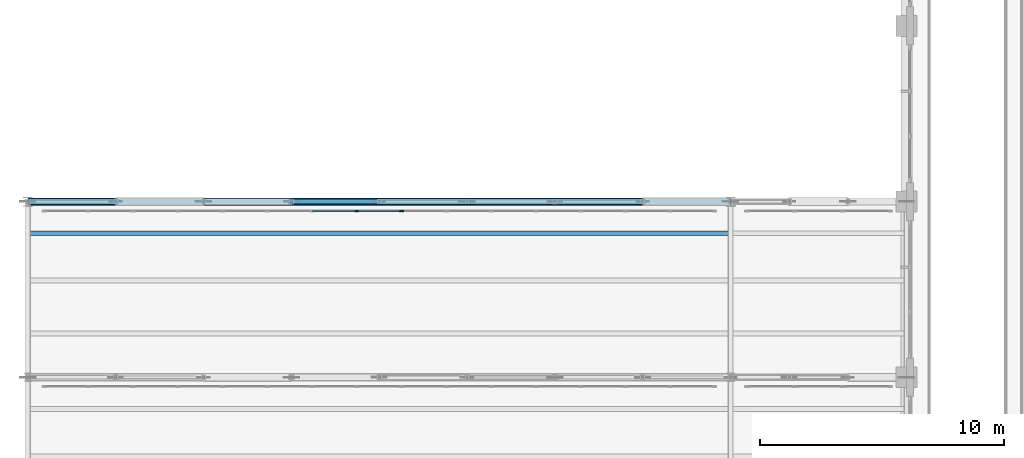
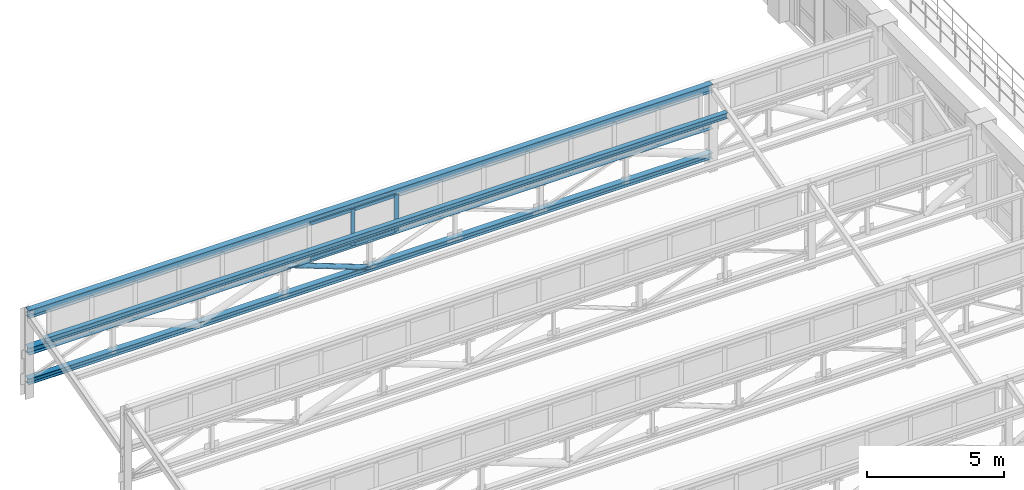
# One storey, part 33 of 98: 9 members, 2 beams, 1 element without a shape of its own.
"""IFC4 building model written with IfcOpenShell, lengths in metres."""

from ifc_helpers import new_model, si_unit, direction, frame, origin, origin_2d, place, context, subcontext, project, spatial, rectangle, hollow_circle, i_section, extrude, material, layer, layer_set, material_profile, profile_set, type_object, element, aggregate, save


model = new_model("IFC4")

# Units and contexts
model_context = context("Model", 3, precision=1e-05, world=origin(), true_north=direction((0.0, 1.0)))
body_context = subcontext(model_context, "Body", "Model", "MODEL_VIEW")
ifc_project = project(units=[si_unit("LENGTHUNIT", "METRE"), si_unit("AREAUNIT", "SQUARE_METRE"), si_unit("VOLUMEUNIT", "CUBIC_METRE"), si_unit("PLANEANGLEUNIT", "RADIAN"), si_unit("MASSUNIT", "GRAM", prefix="KILO")], contexts=[model_context])

# Site, building, storey
site_placement = place(None, origin())
site = spatial("IfcSite", under=ifc_project, at=site_placement, CompositionType="ELEMENT")
building_placement = place(site_placement, origin())
building = spatial("IfcBuilding", under=site, at=building_placement, Name="Solenvale Faculty of Natural Sciences", CompositionType="ELEMENT")
storey_placement = place(building_placement, frame((0.0, 0.0, 9.0)))
storey = spatial("IfcBuildingStorey", under=building, at=storey_placement, Name="L02", CompositionType="ELEMENT", Elevation=9.0)

# Beams
ifc_material_1 = material(Name="Steel S355", Category="steel")
ifc_material_profile_1 = material_profile(ifc_material_1, i_section(OverallWidth=0.202880859375, OverallDepth=0.251953125, WebThickness=0.008056640625, FlangeThickness=0.013427734375, FilletRadius=0.012939453125, at=origin_2d()), Name="W250x58")
ifc_profile_set_1 = profile_set([ifc_material_profile_1], Name="Steel S355")
beam_type_1 = type_object("IfcBeamType", Name="BM-PRL-W250x58", PredefinedType="JOIST", material=ifc_profile_set_1)
beam_1_placement = place(storey_placement, frame((0.0, 41.904052734375, 3.279296875), z_axis=(1.0, 0.0, 0.0), x_axis=(0.0, 1.0, 0.0)))
element("IfcBeam", 1, at=beam_1_placement, inside=storey, type_object=beam_type_1, Name="V1 Sawtooth Purlin 6.1.3", PredefinedType="JOIST", context=body_context, shape_type="SweptSolid", body=[
    extrude(i_section(OverallWidth=0.202880859375, OverallDepth=0.251953125, WebThickness=0.008056640625, FlangeThickness=0.013427734375, FilletRadius=0.012939453125, at=origin_2d()), origin(), (0.0, 0.0, 1.0), 28.7041015625),
])
ifc_material_profile_2 = material_profile(ifc_material_1, i_section(OverallWidth=0.2548828125, OverallDepth=0.35693359375, WebThickness=0.010498046875, FlangeThickness=0.018310546875, FilletRadius=0.014892578125, at=origin_2d()), Name="W360x101")
ifc_profile_set_2 = profile_set([ifc_material_profile_2], Name="Steel S355")
beam_type_2 = type_object("IfcBeamType", Name="BM-STL-W360x101", PredefinedType="JOIST", material=ifc_profile_set_2)
beam_2_placement = place(storey_placement, frame((0.0, 43.199951171875, 3.68896484375), z_axis=(1.0, 0.0, 0.0), x_axis=(0.0, 1.0, 0.0)))
element("IfcBeam", 2, at=beam_2_placement, inside=storey, type_object=beam_type_2, Name="V1 Sawtooth Clerestory Ridge Beam 6.1", PredefinedType="JOIST", context=body_context, shape_type="SweptSolid", body=[
    extrude(i_section(OverallWidth=0.2548828125, OverallDepth=0.35693359375, WebThickness=0.010498046875, FlangeThickness=0.018310546875, FilletRadius=0.014892578125, at=origin_2d()), origin(), (0.0, 0.0, 1.0), 28.800048828125),
])

# Curtain wall, members
ifc_material_2 = material(Name="Anodised bronze aluminium", Category="aluminium")
ifc_layer = layer(ifc_material_2, 0.1650390625)
ifc_layer_set = layer_set([ifc_layer], Name="Anodised bronze aluminium")
curtain_wall_type = type_object("IfcCurtainWallType", Name="CW-SAW-CLR", PredefinedType="USERDEFINED", material=ifc_layer_set)
curtain_wall_placement = place(storey_placement, origin())
curtain_wall = element("IfcCurtainWall", 3, at=curtain_wall_placement, inside=storey, type_object=curtain_wall_type, Name="L02 Curtain Wall SAW-V1-CW-6-1", ObjectType="NORTH LIGHT CLERESTORY", PredefinedType="USERDEFINED")
ifc_material_profile_3 = material_profile(ifc_material_2, rectangle(XDim=0.06494140625, YDim=0.175048828125, at=origin_2d()), Name="ALU-MUL-65x175")
ifc_profile_set_3 = profile_set([ifc_material_profile_3], Name="Anodised bronze aluminium")
member_type_1 = type_object("IfcMemberType", Name="CWM-ALU-65x175", PredefinedType="MULLION", material=ifc_profile_set_3)
member_1_placement = place(storey_placement, frame((15.3173828125, 42.820068359375, 2.22998046875), z_axis=(0.0, 0.0, 1.0), x_axis=(0.0, -1.0, 0.0)))
member_1 = element("IfcMember", 4, at=member_1_placement, type_object=member_type_1, Name="CW-05 mullion 8", PredefinedType="MULLION", context=body_context, shape_type="SweptSolid", body=[
    extrude(rectangle(XDim=0.06494140625, YDim=0.175048828125, at=origin_2d()), origin(), (0.0, 0.0, 1.0), 1.610107421875),
])
member_2_placement = place(storey_placement, frame((13.482666015625, 42.820068359375, 2.22998046875), z_axis=(0.0, 0.0, 1.0), x_axis=(0.0, -1.0, 0.0)))
member_2 = element("IfcMember", 5, at=member_2_placement, type_object=member_type_1, Name="CW-05 mullion 9", PredefinedType="MULLION", context=body_context, shape_type="SweptSolid", body=[
    extrude(rectangle(XDim=0.06494140625, YDim=0.175048828125, at=origin_2d()), origin(), (0.0, 0.0, 1.0), 1.610107421875),
])
ifc_material_profile_4 = material_profile(ifc_material_2, rectangle(XDim=0.06494140625, YDim=0.135009765625, at=origin_2d()), Name="ALU-TRN-65x135")
ifc_profile_set_4 = profile_set([ifc_material_profile_4], Name="Anodised bronze aluminium")
member_type_2 = type_object("IfcMemberType", Name="CWT-ALU-65x135", PredefinedType="USERDEFINED", material=ifc_profile_set_4)
member_3_placement = place(storey_placement, frame((15.284912109375, 42.820068359375, 2.262451171875), z_axis=(-1.0, 0.0, 0.0), x_axis=(0.0, -1.0, 0.0)))
member_3 = element("IfcMember", 6, at=member_3_placement, type_object=member_type_2, Name="CW-05 transom 8.1", ObjectType="TRANSOM", PredefinedType="USERDEFINED", context=body_context, shape_type="SweptSolid", body=[
    extrude(rectangle(XDim=0.06494140625, YDim=0.135009765625, at=origin_2d()), origin(), (0.0, 0.0, 1.0), 1.769775390625),
])
member_4_placement = place(storey_placement, frame((15.284912109375, 42.820068359375, 3.8076171875), z_axis=(-1.0, 0.0, 0.0), x_axis=(0.0, -1.0, 0.0)))
member_4 = element("IfcMember", 7, at=member_4_placement, type_object=member_type_2, Name="CW-05 transom 8.2", ObjectType="TRANSOM", PredefinedType="USERDEFINED", context=body_context, shape_type="SweptSolid", body=[
    extrude(rectangle(XDim=0.06494140625, YDim=0.135009765625, at=origin_2d()), origin(), (0.0, 0.0, 1.0), 1.769775390625),
])
member_5_placement = place(storey_placement, frame((13.4501953125, 42.820068359375, 2.262451171875), z_axis=(-1.0, 0.0, 0.0), x_axis=(0.0, -1.0, 0.0)))
member_5 = element("IfcMember", 8, at=member_5_placement, type_object=member_type_2, Name="CW-05 transom 9.1", ObjectType="TRANSOM", PredefinedType="USERDEFINED", context=body_context, shape_type="SweptSolid", body=[
    extrude(rectangle(XDim=0.06494140625, YDim=0.135009765625, at=origin_2d()), origin(), (0.0, 0.0, 1.0), 1.769775390625),
])
member_6_placement = place(storey_placement, frame((13.4501953125, 42.820068359375, 3.8076171875), z_axis=(-1.0, 0.0, 0.0), x_axis=(0.0, -1.0, 0.0)))
member_6 = element("IfcMember", 9, at=member_6_placement, type_object=member_type_2, Name="CW-05 transom 9.2", ObjectType="TRANSOM", PredefinedType="USERDEFINED", context=body_context, shape_type="SweptSolid", body=[
    extrude(rectangle(XDim=0.06494140625, YDim=0.135009765625, at=origin_2d()), origin(), (0.0, 0.0, 1.0), 1.769775390625),
])
aggregate(curtain_wall, [member_1, member_2, member_3, member_4, member_5, member_6])

# Members
ifc_material_profile_5 = material_profile(ifc_material_1, hollow_circle(Radius=0.109619140625, WallThickness=0.009521484375, at=origin_2d()), Name="HSS219x9.5")
ifc_profile_set_5 = profile_set([ifc_material_profile_5], Name="Steel S355")
member_type_3 = type_object("IfcMemberType", Name="MB-BRC-CHS219", PredefinedType="BRACE", material=ifc_profile_set_5)
member_7_placement = place(storey_placement, frame((10.800048828125, 43.199951171875, 2.050048828125), z_axis=(0.935458110384, 0.0, -0.353437581075), x_axis=(0.0, 1.0, 0.0)))
element("IfcMember", 10, at=member_7_placement, inside=storey, type_object=member_type_3, Name="V1 Truss 6.1 Diagonal 4", PredefinedType="BRACE", context=body_context, shape_type="SweptSolid", body=[
    extrude(hollow_circle(Radius=0.109619140625, WallThickness=0.009521484375, at=origin_2d()), origin(), (0.0, 0.0, 1.0), 3.84814453125),
])
ifc_material_profile_6 = material_profile(ifc_material_1, i_section(OverallWidth=0.256103515625, OverallDepth=0.260009765625, WebThickness=0.0107421875, FlangeThickness=0.017333984375, FilletRadius=0.012939453125, at=origin_2d()), Name="W250x89")
ifc_profile_set_6 = profile_set([ifc_material_profile_6], Name="Steel S355")
member_type_4 = type_object("IfcMemberType", Name="MB-CHD-W250x89", PredefinedType="CHORD", material=ifc_profile_set_6)
member_8_placement = place(storey_placement, frame((0.0, 43.199951171875, 0.68994140625), z_axis=(1.0, 0.0, 0.0), x_axis=(0.0, 1.0, 0.0)))
element("IfcMember", 11, at=member_8_placement, inside=storey, type_object=member_type_4, Name="V1 Truss 6.1 Bottom Chord", PredefinedType="CHORD", context=body_context, shape_type="SweptSolid", body=[
    extrude(i_section(OverallWidth=0.256103515625, OverallDepth=0.260009765625, WebThickness=0.0107421875, FlangeThickness=0.017333984375, FilletRadius=0.012939453125, at=origin_2d()), origin(), (0.0, 0.0, 1.0), 28.800048828125),
])
ifc_material_profile_7 = material_profile(ifc_material_1, i_section(OverallWidth=0.304931640625, OverallDepth=0.30810546875, WebThickness=0.010009765625, FlangeThickness=0.015380859375, FilletRadius=0.014892578125, at=origin_2d()), Name="W310x97")
ifc_profile_set_7 = profile_set([ifc_material_profile_7], Name="Steel S355")
member_type_5 = type_object("IfcMemberType", Name="MB-CHD-W310x97", PredefinedType="CHORD", material=ifc_profile_set_7)
member_9_placement = place(storey_placement, frame((0.0, 43.199951171875, 2.050048828125), z_axis=(1.0, 0.0, 0.0), x_axis=(0.0, 1.0, 0.0)))
element("IfcMember", 12, at=member_9_placement, inside=storey, type_object=member_type_5, Name="V1 Truss 6.1 Top Chord", PredefinedType="CHORD", context=body_context, shape_type="SweptSolid", body=[
    extrude(i_section(OverallWidth=0.304931640625, OverallDepth=0.30810546875, WebThickness=0.010009765625, FlangeThickness=0.015380859375, FilletRadius=0.014892578125, at=origin_2d()), origin(), (0.0, 0.0, 1.0), 28.800048828125),
])

save(model, "model.ifc")
